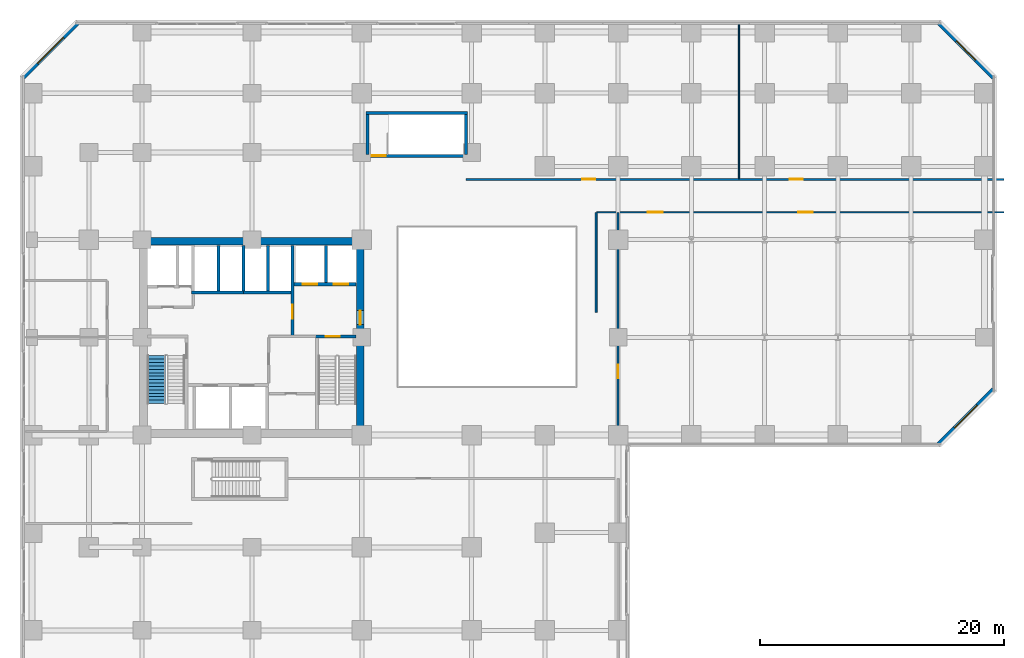
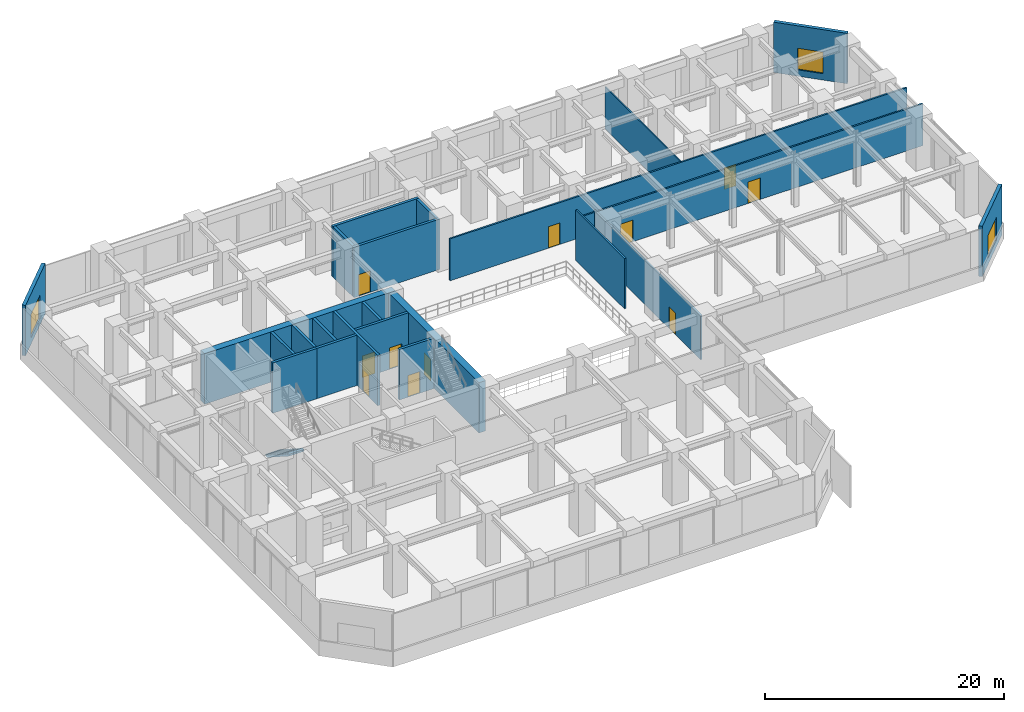
# One storey, part 25 of 33: 23 walls, 11 doors, 3 windows, 1 stair flight, 14 openings, 1 element without a shape of its own.
"""IFC4 building model written with IfcOpenShell, lengths in metres."""

from ifc_helpers import new_model, si_unit, direction, frame, frame_2d, origin, place, context, subcontext, project, spatial, polyline, rectangle, outline, extrude, source, transform, mapped, material, layer, layer_set, type_object, element, fill, aggregate, save


model = new_model("IFC4")

# Units and contexts
model_context = context("Model", 3, precision=1e-05, world=origin(), true_north=direction((0.0, 1.0)))
body_context = subcontext(model_context, "Body", "Model", "MODEL_VIEW")
ifc_project = project(units=[si_unit("LENGTHUNIT", "METRE"), si_unit("AREAUNIT", "SQUARE_METRE"), si_unit("VOLUMEUNIT", "CUBIC_METRE"), si_unit("PLANEANGLEUNIT", "RADIAN"), si_unit("MASSUNIT", "GRAM", prefix="KILO")], contexts=[model_context])

# Site, building, storey
site_placement = place(None, origin())
site = spatial("IfcSite", under=ifc_project, at=site_placement, CompositionType="ELEMENT")
building_placement = place(site_placement, origin())
building = spatial("IfcBuilding", under=site, at=building_placement, Name="Torre Montelarca", CompositionType="ELEMENT")
storey_placement = place(building_placement, frame((0.0, 0.0, 12.0)))
storey = spatial("IfcBuildingStorey", under=building, at=storey_placement, Name="L03", CompositionType="ELEMENT", Elevation=12.0)

# Wall, opening, door
ifc_material_1 = material(Name="Concrete C40/50", Category="concrete")
ifc_layer_1 = layer(ifc_material_1, 0.25, Name="Concrete C40/50", Category="concrete")
ifc_layer_set_1 = layer_set([ifc_layer_1], Name="Concrete C40/50")
wall_type_1 = type_object("IfcWallType", Name="CW-SHAFT-250", PredefinedType="SHEAR", material=ifc_layer_set_1)
wall_1_placement = place(storey_placement, frame((23.18994140625, 32.074951171875, 0.0), z_axis=(0.0, 0.0, 1.0), x_axis=(1.0, 0.0, 0.0)))
wall_1 = element("IfcWall", 1, at=wall_1_placement, inside=storey, type_object=wall_type_1, Name="L03 Core Shear Wall SH-ST2-N", PredefinedType="SHEAR", context=body_context, shape_type="SweptSolid", body=[
    extrude(rectangle(XDim=3.35009765625, YDim=0.25, at=frame_2d((1.675048828125, 0.0))), origin(), (0.0, 0.0, 1.0), 5.139892578125),
])
opening_1_placement = place(wall_1_placement, frame((0.85009765625, 0.0, 0.0)))
opening_1 = element("IfcOpeningElement", 2, at=opening_1_placement, cuts=wall_1, Name="Opening FD-ST1", PredefinedType="OPENING", context=body_context, shape_type="SweptSolid", body=[
    extrude(rectangle(XDim=1.14990234375, YDim=2.199951171875, at=frame_2d((0.574951171875, 1.10009765625))), frame((0.0, 0.135009765625, 0.0), z_axis=(0.0, -1.0, 0.0), x_axis=(1.0, 0.0, 0.0)), (0.0, 0.0, 1.0), 0.27001953125),
])
ifc_material_2 = material(Name="Galvanized steel fire door", Category="steel")
door_type_1 = type_object("IfcDoorType", Name="DR-STAIR-115", OperationType="NOTDEFINED", PredefinedType="DOOR", material=ifc_material_2)
shared_shape_1 = source(origin(), body_context, "Body", "SweptSolid", [
    extrude(rectangle(XDim=1.14990234375, YDim=2.199951171875, at=frame_2d((0.574951171875, 1.10009765625))), frame((0.0, 0.02490234375, 0.0), z_axis=(0.0, -1.0, 0.0), x_axis=(1.0, 0.0, 0.0)), (0.0, 0.0, 1.0), 0.050048828125),
])
door_1_placement = place(opening_1_placement, origin())
door_1 = element("IfcDoor", 3, at=door_1_placement, inside=storey, type_object=door_type_1, Name="L03 Exit Stair ST2 Fire Door", OperationType="SINGLE_SWING_RIGHT", OverallHeight=2.199951171875, OverallWidth=1.14990234375, PredefinedType="DOOR", context=body_context, shape_type="MappedRepresentation", body=[
    mapped(shared_shape_1, transform((0.0, 0.0, 0.0), scale=1.0)),
])
fill(opening_1, door_1)

wall_2_placement = place(storey_placement, frame((21.320068359375, 32.1201171875, 0.0), z_axis=(0.0, 0.0, 1.0), x_axis=(0.0, 1.0, 0.0)))
wall_2 = element("IfcWall", 4, at=wall_2_placement, inside=storey, type_object=wall_type_1, Name="L03 Core Shear Wall SH-FFL-W", PredefinedType="SHEAR", context=body_context, shape_type="SweptSolid", body=[
    extrude(rectangle(XDim=7.419921875, YDim=0.25, at=frame_2d((3.7099609375, 0.0))), origin(), (0.0, 0.0, 1.0), 5.139892578125),
])
opening_2_placement = place(wall_2_placement, frame((1.39990234375, 0.0, 0.0)))
opening_2 = element("IfcOpeningElement", 5, at=opening_2_placement, cuts=wall_2, Name="Opening FD-LB1", PredefinedType="OPENING", context=body_context, shape_type="SweptSolid", body=[
    extrude(rectangle(XDim=1.14990234375, YDim=2.199951171875, at=frame_2d((0.574951171875, 1.10009765625))), frame((0.0, 0.135009765625, 0.0), z_axis=(0.0, -1.0, 0.0), x_axis=(1.0, 0.0, 0.0)), (0.0, 0.0, 1.0), 0.27001953125),
])
ifc_material_3 = material(Name="Acoustic timber-veneered fire door", Category="wood")
door_type_2 = type_object("IfcDoorType", Name="DR-LOBBY-115", OperationType="NOTDEFINED", PredefinedType="DOOR", material=ifc_material_3)
shared_shape_2 = source(origin(), body_context, "Body", "SweptSolid", [
    extrude(rectangle(XDim=1.14990234375, YDim=2.199951171875, at=frame_2d((0.574951171875, 1.10009765625))), frame((0.0, 0.02490234375, 0.0), z_axis=(0.0, -1.0, 0.0), x_axis=(1.0, 0.0, 0.0)), (0.0, 0.0, 1.0), 0.050048828125),
])
door_2_placement = place(opening_2_placement, origin())
door_2 = element("IfcDoor", 6, at=door_2_placement, inside=storey, type_object=door_type_2, Name="L03 Lift Lobby to Firefighting Lobby Smoke Door", OperationType="SINGLE_SWING_LEFT", OverallHeight=2.199951171875, OverallWidth=1.14990234375, PredefinedType="DOOR", context=body_context, shape_type="MappedRepresentation", body=[
    mapped(shared_shape_2, transform((0.0, 0.0, 0.0), scale=1.0)),
])
fill(opening_2, door_2)

# Wall, openings, doors
wall_3_placement = place(storey_placement, frame((21.449951171875, 36.35009765625, 0.0), z_axis=(0.0, 0.0, 1.0), x_axis=(1.0, 0.0, 0.0)))
wall_3 = element("IfcWall", 7, at=wall_3_placement, inside=storey, type_object=wall_type_1, Name="L03 Core Shear Wall SH-FF-S", PredefinedType="SHEAR", context=body_context, shape_type="SweptSolid", body=[
    extrude(rectangle(XDim=5.090087890625, YDim=0.25, at=frame_2d((2.544921875, 0.0))), origin(), (0.0, 0.0, 1.0), 5.139892578125),
])
opening_3_placement = place(wall_3_placement, frame((0.699951171875, 0.0, 0.0)))
opening_3 = element("IfcOpeningElement", 8, at=opening_3_placement, cuts=wall_3, Name="Opening LD-120", PredefinedType="OPENING", context=body_context, shape_type="SweptSolid", body=[
    extrude(rectangle(XDim=1.199951171875, YDim=2.199951171875, at=frame_2d((0.60009765625, 1.10009765625))), frame((0.0, 0.135009765625, 0.0), z_axis=(0.0, -1.0, 0.0), x_axis=(1.0, 0.0, 0.0)), (0.0, 0.0, 1.0), 0.27001953125),
])
opening_4_placement = place(wall_3_placement, frame((3.25, 0.0, 0.0)))
opening_4 = element("IfcOpeningElement", 9, at=opening_4_placement, cuts=wall_3, Name="Opening LD-120", PredefinedType="OPENING", context=body_context, shape_type="SweptSolid", body=[
    extrude(rectangle(XDim=1.199951171875, YDim=2.199951171875, at=frame_2d((0.60009765625, 1.10009765625))), frame((0.0, 0.135009765625, 0.0), z_axis=(0.0, -1.0, 0.0), x_axis=(1.0, 0.0, 0.0)), (0.0, 0.0, 1.0), 0.27001953125),
])
ifc_material_4 = material(Name="Brushed stainless steel AISI 316", Category="steel")
door_type_3 = type_object("IfcDoorType", Name="DR-LIFT-120", OperationType="SLIDING_TO_RIGHT", PredefinedType="DOOR", material=ifc_material_4)
shared_shape_3 = source(origin(), body_context, "Body", "SweptSolid", [
    extrude(rectangle(XDim=1.199951171875, YDim=2.199951171875, at=frame_2d((0.60009765625, 1.10009765625))), frame((0.0, 0.02490234375, 0.0), z_axis=(0.0, -1.0, 0.0), x_axis=(1.0, 0.0, 0.0)), (0.0, 0.0, 1.0), 0.050048828125),
])
door_3_placement = place(opening_3_placement, origin())
door_3 = element("IfcDoor", 10, at=door_3_placement, inside=storey, type_object=door_type_3, Name="L03 Lift Landing Sliding Door FF-1", OperationType="SLIDING_TO_LEFT", OverallHeight=2.199951171875, OverallWidth=1.199951171875, PredefinedType="DOOR", context=body_context, shape_type="MappedRepresentation", body=[
    mapped(shared_shape_3, transform((0.0, 0.0, 0.0), scale=1.0)),
])
fill(opening_3, door_3)
door_4_placement = place(opening_4_placement, origin())
door_4 = element("IfcDoor", 11, at=door_4_placement, inside=storey, type_object=door_type_3, Name="L03 Lift Landing Sliding Door FF-2", OperationType="SLIDING_TO_RIGHT", OverallHeight=2.199951171875, OverallWidth=1.199951171875, PredefinedType="DOOR", context=body_context, shape_type="MappedRepresentation", body=[
    mapped(shared_shape_3, transform((0.0, 0.0, 0.0), scale=1.0)),
])
fill(opening_4, door_4)

# Walls
wall_4_placement = place(storey_placement, frame((24.080078125, 36.47998046875, 0.0), z_axis=(0.0, 0.0, 1.0), x_axis=(0.0, 1.0, 0.0)))
element("IfcWall", 12, at=wall_4_placement, inside=storey, type_object=wall_type_1, Name="L03 Core Shear Wall SH-FF-M", PredefinedType="SHEAR", context=body_context, shape_type="SweptSolid", body=[
    extrude(rectangle(XDim=3.06005859375, YDim=0.25, at=frame_2d((1.530029296875, 0.0))), origin(), (0.0, 0.0, 1.0), 5.139892578125),
])
wall_5_placement = place(storey_placement, frame((13.06005859375, 35.679931640625, 0.0), z_axis=(0.0, 0.0, 1.0), x_axis=(1.0, 0.0, 0.0)))
element("IfcWall", 13, at=wall_5_placement, inside=storey, type_object=wall_type_1, Name="L03 Core Shear Wall SH-PLM-S", PredefinedType="SHEAR", context=body_context, shape_type="SweptSolid", body=[
    extrude(rectangle(XDim=4.25, YDim=0.25, at=frame_2d((2.125, 0.0))), origin(), (0.0, 0.0, 1.0), 5.139892578125),
])
wall_6_placement = place(storey_placement, frame((15.280029296875, 35.81005859375, 0.0), z_axis=(0.0, 0.0, 1.0), x_axis=(0.0, 1.0, 0.0)))
element("IfcWall", 14, at=wall_6_placement, inside=storey, type_object=wall_type_1, Name="L03 Core Shear Wall SH-PLM-M", PredefinedType="SHEAR", context=body_context, shape_type="SweptSolid", body=[
    extrude(rectangle(XDim=3.72998046875, YDim=0.25, at=frame_2d((1.864990234375, 0.0))), origin(), (0.0, 0.0, 1.0), 5.139892578125),
])
wall_7_placement = place(storey_placement, frame((17.320068359375, 35.679931640625, 0.0), z_axis=(0.0, 0.0, 1.0), x_axis=(1.0, 0.0, 0.0)))
element("IfcWall", 15, at=wall_7_placement, inside=storey, type_object=wall_type_1, Name="L03 Core Shear Wall SH-PLH-S", PredefinedType="SHEAR", context=body_context, shape_type="SweptSolid", body=[
    extrude(rectangle(XDim=3.869873046875, YDim=0.25, at=frame_2d((1.93505859375, 0.0))), origin(), (0.0, 0.0, 1.0), 5.139892578125),
])
for number, where, z_axis, x_axis, name in (
    (16, (17.320068359375, 35.81005859375, 0.0), (0.0, 0.0, 1.0), (0.0, 1.0, 0.0), "L03 Core Shear Wall SH-PLH-W"),
    (17, (19.320068359375, 35.81005859375, 0.0), (0.0, 0.0, 1.0), (0.0, 1.0, 0.0), "L03 Core Shear Wall SH-PLH-M"),
):
    element("IfcWall", number, at=place(storey_placement, frame(where, z_axis=z_axis, x_axis=x_axis)), inside=storey, type_object=wall_type_1, Name=name, PredefinedType="SHEAR", context=body_context, shape_type="SweptSolid", body=[
        extrude(rectangle(XDim=3.72998046875, YDim=0.25, at=frame_2d((1.864990234375, 0.0))), origin(), (0.0, 0.0, 1.0), 5.139892578125),
    ])
for number, where, z_axis, x_axis, name in (
    (18, (27.47509765625, 47.0, 0.0), (0.0, 0.0, 1.0), (0.0, 1.0, 0.0), "L03 Core Shear Wall SH-ST4-W"),
    (19, (35.52490234375, 47.0, 0.0), (0.0, 0.0, 1.0), (0.0, 1.0, 0.0), "L03 Core Shear Wall SH-ST4-E"),
):
    element("IfcWall", number, at=place(storey_placement, frame(where, z_axis=z_axis, x_axis=x_axis)), inside=storey, type_object=wall_type_1, Name=name, PredefinedType="SHEAR", context=body_context, shape_type="SweptSolid", body=[
        extrude(rectangle(XDim=3.25, YDim=0.25, at=frame_2d((1.625, 0.0))), origin(), (0.0, 0.0, 1.0), 5.139892578125),
    ])

# Wall, opening, door
wall_8_placement = place(storey_placement, frame((27.35009765625, 46.875, 0.0), z_axis=(0.0, 0.0, 1.0), x_axis=(1.0, 0.0, 0.0)))
wall_8 = element("IfcWall", 20, at=wall_8_placement, inside=storey, type_object=wall_type_1, Name="L03 Core Shear Wall SH-ST4-S", PredefinedType="SHEAR", context=body_context, shape_type="SweptSolid", body=[
    extrude(rectangle(XDim=8.2998046875, YDim=0.25, at=frame_2d((4.14990234375, 0.0))), origin(), (0.0, 0.0, 1.0), 5.139892578125),
])
opening_5_placement = place(wall_8_placement, frame((0.449951171875, 0.0, 0.0)))
opening_5 = element("IfcOpeningElement", 21, at=opening_5_placement, cuts=wall_8, Name="Opening FD-LB1", PredefinedType="OPENING", context=body_context, shape_type="SweptSolid", body=[
    extrude(rectangle(XDim=1.14990234375, YDim=2.199951171875, at=frame_2d((0.574951171875, 1.10009765625))), frame((0.0, 0.135009765625, 0.0), z_axis=(0.0, -1.0, 0.0), x_axis=(1.0, 0.0, 0.0)), (0.0, 0.0, 1.0), 0.27001953125),
])
door_5_placement = place(opening_5_placement, origin())
door_5 = element("IfcDoor", 22, at=door_5_placement, inside=storey, type_object=door_type_2, Name="L03 Podium Feature Stair ST4 Door", OperationType="SINGLE_SWING_RIGHT", OverallHeight=2.199951171875, OverallWidth=1.14990234375, PredefinedType="DOOR", context=body_context, shape_type="MappedRepresentation", body=[
    mapped(shared_shape_2, transform((0.0, 0.0, 0.0), scale=1.0)),
])
fill(opening_5, door_5)

# Wall
wall_9_placement = place(storey_placement, frame((27.35009765625, 50.375, 0.0), z_axis=(0.0, 0.0, 1.0), x_axis=(1.0, 0.0, 0.0)))
element("IfcWall", 23, at=wall_9_placement, inside=storey, type_object=wall_type_1, Name="L03 Core Shear Wall SH-ST4-N", PredefinedType="SHEAR", context=body_context, shape_type="SweptSolid", body=[
    extrude(rectangle(XDim=8.2998046875, YDim=0.25, at=frame_2d((4.14990234375, 0.0))), origin(), (0.0, 0.0, 1.0), 5.139892578125),
])

# Wall, opening, door
ifc_material_5 = material(Name="Concrete C70/85", Category="concrete")
ifc_layer_2 = layer(ifc_material_5, 0.64990234375, Name="Concrete C70/85", Category="concrete")
ifc_layer_set_2 = layer_set([ifc_layer_2], Name="Concrete C70/85")
wall_type_2 = type_object("IfcWallType", Name="CW-SHEAR-650", PredefinedType="SHEAR", material=ifc_layer_set_2)
wall_10_placement = place(storey_placement, frame((26.875, 24.449951171875, 0.0), z_axis=(0.0, 0.0, 1.0), x_axis=(0.0, 1.0, 0.0)))
wall_10 = element("IfcWall", 24, at=wall_10_placement, inside=storey, type_object=wall_type_2, Name="L03 Core Shear Wall CW-E", PredefinedType="SHEAR", context=body_context, shape_type="SweptSolid", body=[
    extrude(rectangle(XDim=15.10009765625, YDim=0.64990234375, at=frame_2d((7.550048828125, 0.0))), origin(), (0.0, 0.0, 1.0), 5.139892578125),
])
opening_6_placement = place(wall_10_placement, frame((8.60009765625, 0.0, 0.0)))
opening_6 = element("IfcOpeningElement", 25, at=opening_6_placement, cuts=wall_10, Name="Opening FD-LB1", PredefinedType="OPENING", context=body_context, shape_type="SweptSolid", body=[
    extrude(rectangle(XDim=1.14990234375, YDim=2.199951171875, at=frame_2d((0.574951171875, 1.10009765625))), frame((0.0, 0.3349609375, 0.0), z_axis=(0.0, -1.0, 0.0), x_axis=(1.0, 0.0, 0.0)), (0.0, 0.0, 1.0), 0.669921875),
])
door_6_placement = place(opening_6_placement, origin())
door_6 = element("IfcDoor", 26, at=door_6_placement, inside=storey, type_object=door_type_2, Name="L03 Firefighting Lift Lobby Corridor Fire Door", OperationType="SINGLE_SWING_RIGHT", OverallHeight=2.199951171875, OverallWidth=1.14990234375, PredefinedType="DOOR", context=body_context, shape_type="MappedRepresentation", body=[
    mapped(shared_shape_2, transform((0.0, 0.0, 0.0), scale=1.0)),
])
fill(opening_6, door_6)

# Wall
wall_11_placement = place(storey_placement, frame((8.800048828125, 39.875, 0.0), z_axis=(0.0, 0.0, 1.0), x_axis=(1.0, 0.0, 0.0)))
element("IfcWall", 27, at=wall_11_placement, inside=storey, type_object=wall_type_2, Name="L03 Core Shear Wall CW-N1", PredefinedType="SHEAR", context=body_context, shape_type="SweptSolid", body=[
    extrude(rectangle(XDim=18.39990234375, YDim=0.64990234375, at=frame_2d((9.199951171875, 0.0))), origin(), (0.0, 0.0, 1.0), 5.139892578125),
])

# Wall, opening, window
ifc_material_6 = material(Name="Precast concrete C45/55", Category="concrete")
ifc_layer_3 = layer(ifc_material_6, 0.320068359375, Name="Precast concrete C45/55", Category="concrete")
ifc_layer_set_3 = layer_set([ifc_layer_3], Name="Precast concrete C45/55")
wall_type_3 = type_object("IfcWallType", Name="EW-CONC-320", PredefinedType="SOLIDWALL", material=ifc_layer_set_3)
wall_12_placement = place(storey_placement, frame((74.244384765625, 23.255615234375, 0.0), z_axis=(0.0, 0.0, 1.0), x_axis=(0.707106781187, 0.707106781187, 0.0)))
wall_12 = element("IfcWall", 28, at=wall_12_placement, inside=storey, type_object=wall_type_3, Name="L03 Podium Precast Concrete Wall E05", PredefinedType="SOLIDWALL", context=body_context, shape_type="SweptSolid", body=[
    extrude(rectangle(XDim=6.364013671875, YDim=0.320068359375, at=frame_2d((3.18212890625, 0.0))), origin(), (0.0, 0.0, 1.0), 5.139892578125),
])
opening_7_placement = place(wall_12_placement, frame((1.882080078125, 0.0, 0.64990234375)))
opening_7 = element("IfcOpeningElement", 29, at=opening_7_placement, cuts=wall_12, Name="Opening W-01", PredefinedType="OPENING", context=body_context, shape_type="SweptSolid", body=[
    extrude(rectangle(XDim=2.60009765625, YDim=2.35009765625, at=frame_2d((1.300048828125, 1.175048828125))), frame((0.0, 0.169921875, 0.0), z_axis=(0.0, -1.0, 0.0), x_axis=(1.0, 0.0, 0.0)), (0.0, 0.0, 1.0), 0.340087890625),
])
ifc_material_7 = material(Name="Insulated low-E laminated glass in aluminium frame", Category="aluminium")
window_type_1 = type_object("IfcWindowType", Name="WIN-W01", PartitioningType="DOUBLE_PANEL_VERTICAL", PredefinedType="WINDOW", material=ifc_material_7)
shared_shape_4 = source(origin(), body_context, "Body", "SweptSolid", [
    extrude(rectangle(XDim=2.60009765625, YDim=2.35009765625, at=frame_2d((1.300048828125, 1.175048828125))), frame((0.0, 0.030029296875, 0.0), z_axis=(0.0, -1.0, 0.0), x_axis=(1.0, 0.0, 0.0)), (0.0, 0.0, 1.0), 0.06005859375),
])
window_1_placement = place(opening_7_placement, origin())
window_1 = element("IfcWindow", 30, at=window_1_placement, inside=storey, type_object=window_type_1, Name="L03 Podium Chamfer Feature Window E05", OverallHeight=2.35009765625, OverallWidth=2.60009765625, PartitioningType="DOUBLE_PANEL_VERTICAL", PredefinedType="WINDOW", context=body_context, shape_type="MappedRepresentation", body=[
    mapped(shared_shape_4, transform((0.0, 0.0, 0.0), scale=1.0)),
])
fill(opening_7, window_1)

wall_13_placement = place(storey_placement, frame((78.744384765625, 53.244384765625, 0.0), z_axis=(0.0, 0.0, 1.0), x_axis=(-0.707106781187, 0.707106781187, 0.0)))
wall_13 = element("IfcWall", 31, at=wall_13_placement, inside=storey, type_object=wall_type_3, Name="L03 Podium Precast Concrete Wall E07", PredefinedType="SOLIDWALL", context=body_context, shape_type="SweptSolid", body=[
    extrude(rectangle(XDim=6.364013671875, YDim=0.320068359375, at=frame_2d((3.18212890625, 0.0))), origin(), (0.0, 0.0, 1.0), 5.139892578125),
])
opening_8_placement = place(wall_13_placement, frame((2.08203125, 0.0, 0.64990234375)))
opening_8 = element("IfcOpeningElement", 32, at=opening_8_placement, cuts=wall_13, Name="Opening W-03", PredefinedType="OPENING", context=body_context, shape_type="SweptSolid", body=[
    extrude(rectangle(XDim=2.199951171875, YDim=2.199951171875, at=frame_2d((1.10009765625, 1.10009765625))), frame((0.0, 0.169921875, 0.0), z_axis=(0.0, -1.0, 0.0), x_axis=(1.0, 0.0, 0.0)), (0.0, 0.0, 1.0), 0.340087890625),
])
window_type_2 = type_object("IfcWindowType", Name="WIN-W03", PartitioningType="SINGLE_PANEL", PredefinedType="WINDOW", material=ifc_material_7)
shared_shape_5 = source(origin(), body_context, "Body", "SweptSolid", [
    extrude(rectangle(XDim=2.199951171875, YDim=2.199951171875, at=frame_2d((1.10009765625, 1.10009765625))), frame((0.0, 0.030029296875, 0.0), z_axis=(0.0, -1.0, 0.0), x_axis=(1.0, 0.0, 0.0)), (0.0, 0.0, 1.0), 0.06005859375),
])
window_2_placement = place(opening_8_placement, origin())
window_2 = element("IfcWindow", 33, at=window_2_placement, inside=storey, type_object=window_type_2, Name="L03 Podium Chamfer Feature Window E07", OverallHeight=2.199951171875, OverallWidth=2.199951171875, PartitioningType="SINGLE_PANEL", PredefinedType="WINDOW", context=body_context, shape_type="MappedRepresentation", body=[
    mapped(shared_shape_5, transform((0.0, 0.0, 0.0), scale=1.0)),
])
fill(opening_8, window_2)

wall_14_placement = place(storey_placement, frame((3.755615234375, 57.744384765625, 0.0), z_axis=(0.0, 0.0, 1.0), x_axis=(-0.707106781187, -0.707106781187, 0.0)))
wall_14 = element("IfcWall", 34, at=wall_14_placement, inside=storey, type_object=wall_type_3, Name="L03 Podium Precast Concrete Wall E09", PredefinedType="SOLIDWALL", context=body_context, shape_type="SweptSolid", body=[
    extrude(rectangle(XDim=6.364013671875, YDim=0.320068359375, at=frame_2d((3.18212890625, 0.0))), origin(), (0.0, 0.0, 1.0), 5.139892578125),
])
opening_9_placement = place(wall_14_placement, frame((1.681884765625, 0.0, 0.64990234375)))
opening_9 = element("IfcOpeningElement", 35, at=opening_9_placement, cuts=wall_14, Name="Opening W-05", PredefinedType="OPENING", context=body_context, shape_type="SweptSolid", body=[
    extrude(rectangle(XDim=3.0, YDim=2.39990234375, at=frame_2d((1.5, 1.199951171875))), frame((0.0, 0.169921875, 0.0), z_axis=(0.0, -1.0, 0.0), x_axis=(1.0, 0.0, 0.0)), (0.0, 0.0, 1.0), 0.340087890625),
])
window_type_3 = type_object("IfcWindowType", Name="WIN-W05", PartitioningType="TRIPLE_PANEL_VERTICAL", PredefinedType="WINDOW", material=ifc_material_7)
shared_shape_6 = source(origin(), body_context, "Body", "SweptSolid", [
    extrude(rectangle(XDim=3.0, YDim=2.39990234375, at=frame_2d((1.5, 1.199951171875))), frame((0.0, 0.030029296875, 0.0), z_axis=(0.0, -1.0, 0.0), x_axis=(1.0, 0.0, 0.0)), (0.0, 0.0, 1.0), 0.06005859375),
])
window_3_placement = place(opening_9_placement, origin())
window_3 = element("IfcWindow", 36, at=window_3_placement, inside=storey, type_object=window_type_3, Name="L03 Podium Chamfer Feature Window E09", OverallHeight=2.39990234375, OverallWidth=3.0, PartitioningType="TRIPLE_PANEL_VERTICAL", PredefinedType="WINDOW", context=body_context, shape_type="MappedRepresentation", body=[
    mapped(shared_shape_6, transform((0.0, 0.0, 0.0), scale=1.0)),
])
fill(opening_9, window_3)

# Wall, openings, doors
ifc_material_8 = material(Name="Gypsum plasterboard on steel stud", Category="steel")
ifc_layer_4 = layer(ifc_material_8, 0.159912109375, Name="Gypsum plasterboard on steel stud", Category="steel")
ifc_layer_set_4 = layer_set([ifc_layer_4], Name="Gypsum plasterboard on steel stud")
wall_type_4 = type_object("IfcWallType", Name="PW-FIRE-160", PredefinedType="PARTITIONING", material=ifc_layer_set_4)
wall_15_placement = place(storey_placement, frame((46.239990234375, 42.25, 0.0), z_axis=(0.0, 0.0, 1.0), x_axis=(1.0, 0.0, 0.0)))
wall_15 = element("IfcWall", 37, at=wall_15_placement, inside=storey, type_object=wall_type_4, Name="L03 Interior Partition W-L03-CN1", PredefinedType="PARTITIONING", context=body_context, shape_type="SweptSolid", body=[
    extrude(rectangle(XDim=33.3701171875, YDim=0.159912109375, at=frame_2d((16.68505859375, 0.0))), origin(), (0.0, 0.0, 1.0), 4.27490234375),
])
opening_10_placement = place(wall_15_placement, frame((4.199951171875, 0.0, 0.0)))
opening_10 = element("IfcOpeningElement", 38, at=opening_10_placement, cuts=wall_15, Name="Opening FD-120", PredefinedType="OPENING", context=body_context, shape_type="SweptSolid", body=[
    extrude(rectangle(XDim=1.199951171875, YDim=2.199951171875, at=frame_2d((0.60009765625, 1.10009765625))), frame((0.0, 0.08984375, 0.0), z_axis=(0.0, -1.0, 0.0), x_axis=(1.0, 0.0, 0.0)), (0.0, 0.0, 1.0), 0.179931640625),
])
opening_11_placement = place(wall_15_placement, frame((16.5, 0.0, 0.0)))
opening_11 = element("IfcOpeningElement", 39, at=opening_11_placement, cuts=wall_15, Name="Opening FD-120", PredefinedType="OPENING", context=body_context, shape_type="SweptSolid", body=[
    extrude(rectangle(XDim=1.199951171875, YDim=2.199951171875, at=frame_2d((0.60009765625, 1.10009765625))), frame((0.0, 0.08984375, 0.0), z_axis=(0.0, -1.0, 0.0), x_axis=(1.0, 0.0, 0.0)), (0.0, 0.0, 1.0), 0.179931640625),
])
door_type_4 = type_object("IfcDoorType", Name="DR-FIRE-120", OperationType="NOTDEFINED", PredefinedType="DOOR", material=ifc_material_2)
shared_shape_7 = source(origin(), body_context, "Body", "SweptSolid", [
    extrude(rectangle(XDim=1.199951171875, YDim=2.199951171875, at=frame_2d((0.60009765625, 1.10009765625))), frame((0.0, 0.02490234375, 0.0), z_axis=(0.0, -1.0, 0.0), x_axis=(1.0, 0.0, 0.0)), (0.0, 0.0, 1.0), 0.050048828125),
])
door_7_placement = place(opening_10_placement, origin())
door_7 = element("IfcDoor", 40, at=door_7_placement, inside=storey, type_object=door_type_4, Name="L03 Interior Door 08", OperationType="SINGLE_SWING_LEFT", OverallHeight=2.199951171875, OverallWidth=1.199951171875, PredefinedType="DOOR", context=body_context, shape_type="MappedRepresentation", body=[
    mapped(shared_shape_7, transform((0.0, 0.0, 0.0), scale=1.0)),
])
fill(opening_10, door_7)
door_8_placement = place(opening_11_placement, origin())
door_8 = element("IfcDoor", 41, at=door_8_placement, inside=storey, type_object=door_type_4, Name="L03 Interior Door 09", OperationType="SINGLE_SWING_RIGHT", OverallHeight=2.199951171875, OverallWidth=1.199951171875, PredefinedType="DOOR", context=body_context, shape_type="MappedRepresentation", body=[
    mapped(shared_shape_7, transform((0.0, 0.0, 0.0), scale=1.0)),
])
fill(opening_11, door_8)

wall_16_placement = place(storey_placement, frame((35.5400390625, 44.949951171875, 0.0), z_axis=(0.0, 0.0, 1.0), x_axis=(1.0, 0.0, 0.0)))
wall_16 = element("IfcWall", 42, at=wall_16_placement, inside=storey, type_object=wall_type_4, Name="L03 Interior Partition W-L03-CN2", PredefinedType="PARTITIONING", context=body_context, shape_type="SweptSolid", body=[
    extrude(rectangle(XDim=44.070068359375, YDim=0.159912109375, at=frame_2d((22.03515625, 0.0))), origin(), (0.0, 0.0, 1.0), 4.27490234375),
])
opening_12_placement = place(wall_16_placement, frame((9.5, 0.0, 0.0)))
opening_12 = element("IfcOpeningElement", 43, at=opening_12_placement, cuts=wall_16, Name="Opening FD-110", PredefinedType="OPENING", context=body_context, shape_type="SweptSolid", body=[
    extrude(rectangle(XDim=1.10009765625, YDim=2.199951171875, at=frame_2d((0.550048828125, 1.10009765625))), frame((0.0, 0.08984375, 0.0), z_axis=(0.0, -1.0, 0.0), x_axis=(1.0, 0.0, 0.0)), (0.0, 0.0, 1.0), 0.179931640625),
])
opening_13_placement = place(wall_16_placement, frame((26.5, 0.0, 0.0)))
opening_13 = element("IfcOpeningElement", 44, at=opening_13_placement, cuts=wall_16, Name="Opening FD-110", PredefinedType="OPENING", context=body_context, shape_type="SweptSolid", body=[
    extrude(rectangle(XDim=1.10009765625, YDim=2.199951171875, at=frame_2d((0.550048828125, 1.10009765625))), frame((0.0, 0.08984375, 0.0), z_axis=(0.0, -1.0, 0.0), x_axis=(1.0, 0.0, 0.0)), (0.0, 0.0, 1.0), 0.179931640625),
])
ifc_material_9 = material(Name="Timber fire-rated suite door", Category="wood")
door_type_5 = type_object("IfcDoorType", Name="DR-FIRE-110", OperationType="NOTDEFINED", PredefinedType="DOOR", material=ifc_material_9)
shared_shape_8 = source(origin(), body_context, "Body", "SweptSolid", [
    extrude(rectangle(XDim=1.10009765625, YDim=2.199951171875, at=frame_2d((0.550048828125, 1.10009765625))), frame((0.0, 0.02490234375, 0.0), z_axis=(0.0, -1.0, 0.0), x_axis=(1.0, 0.0, 0.0)), (0.0, 0.0, 1.0), 0.050048828125),
])
door_9_placement = place(opening_12_placement, origin())
door_9 = element("IfcDoor", 45, at=door_9_placement, inside=storey, type_object=door_type_5, Name="L03 Interior Door 10", OperationType="SINGLE_SWING_RIGHT", OverallHeight=2.199951171875, OverallWidth=1.10009765625, PredefinedType="DOOR", context=body_context, shape_type="MappedRepresentation", body=[
    mapped(shared_shape_8, transform((0.0, 0.0, 0.0), scale=1.0)),
])
fill(opening_12, door_9)
door_10_placement = place(opening_13_placement, origin())
door_10 = element("IfcDoor", 46, at=door_10_placement, inside=storey, type_object=door_type_5, Name="L03 Interior Door 11", OperationType="SINGLE_SWING_LEFT", OverallHeight=2.199951171875, OverallWidth=1.10009765625, PredefinedType="DOOR", context=body_context, shape_type="MappedRepresentation", body=[
    mapped(shared_shape_8, transform((0.0, 0.0, 0.0), scale=1.0)),
])
fill(opening_13, door_10)

# Wall
wall_17_placement = place(storey_placement, frame((46.199951171875, 34.0400390625, 0.0), z_axis=(0.0, 0.0, 1.0), x_axis=(0.0, 1.0, 0.0)))
element("IfcWall", 47, at=wall_17_placement, inside=storey, type_object=wall_type_4, Name="L03 Interior Partition W-L03-CN1W", PredefinedType="PARTITIONING", context=body_context, shape_type="SweptSolid", body=[
    extrude(rectangle(XDim=8.169921875, YDim=0.159912109375, at=frame_2d((4.0849609375, 0.0))), origin(), (0.0, 0.0, 1.0), 5.139892578125),
])

# Wall, opening, door
wall_18_placement = place(storey_placement, frame((48.0, 24.43994140625, 0.0), z_axis=(0.0, 0.0, 1.0), x_axis=(0.0, 1.0, 0.0)))
wall_18 = element("IfcWall", 48, at=wall_18_placement, inside=storey, type_object=wall_type_4, Name="L03 Interior Partition W-L03-HDIV", PredefinedType="PARTITIONING", context=body_context, shape_type="SweptSolid", body=[
    extrude(rectangle(XDim=17.77001953125, YDim=0.159912109375, at=frame_2d((8.885009765625, 0.0))), origin(), (0.0, 0.0, 1.0), 4.5029296875),
])
opening_14_placement = place(wall_18_placement, frame((4.199951171875, 0.0, 0.0)))
opening_14 = element("IfcOpeningElement", 49, at=opening_14_placement, cuts=wall_18, Name="Opening FD-110", PredefinedType="OPENING", context=body_context, shape_type="SweptSolid", body=[
    extrude(rectangle(XDim=1.10009765625, YDim=2.199951171875, at=frame_2d((0.550048828125, 1.10009765625))), frame((0.0, 0.08984375, 0.0), z_axis=(0.0, -1.0, 0.0), x_axis=(1.0, 0.0, 0.0)), (0.0, 0.0, 1.0), 0.179931640625),
])
door_11_placement = place(opening_14_placement, origin())
door_11 = element("IfcDoor", 50, at=door_11_placement, inside=storey, type_object=door_type_5, Name="L03 Interior Door 12", OperationType="SINGLE_SWING_LEFT", OverallHeight=2.199951171875, OverallWidth=1.10009765625, PredefinedType="DOOR", context=body_context, shape_type="MappedRepresentation", body=[
    mapped(shared_shape_8, transform((0.0, 0.0, 0.0), scale=1.0)),
])
fill(opening_14, door_11)

# Wall
ifc_layer_5 = layer(ifc_material_8, 0.114990234375, Name="Gypsum plasterboard on steel stud", Category="steel")
ifc_layer_set_5 = layer_set([ifc_layer_5], Name="Gypsum plasterboard on steel stud")
wall_type_5 = type_object("IfcWallType", Name="PW-PART-115", PredefinedType="PARTITIONING", material=ifc_layer_set_5)
wall_19_placement = place(storey_placement, frame((57.89990234375, 44.989990234375, 0.0), z_axis=(0.0, 0.0, 1.0), x_axis=(0.0, 1.0, 0.0)))
element("IfcWall", 51, at=wall_19_placement, inside=storey, type_object=wall_type_5, Name="L03 Interior Partition W-L03-NM", PredefinedType="PARTITIONING", context=body_context, shape_type="SweptSolid", body=[
    extrude(rectangle(XDim=12.6201171875, YDim=0.114990234375, at=frame_2d((6.31005859375, 0.0))), origin(), (0.0, 0.0, 1.0), 4.27490234375),
])

# Stair, stair flight
stair_type = type_object("IfcStairType", Name="ST-CORE-ST1", PredefinedType="HALF_TURN_STAIR", material=ifc_material_1)
stair_placement = place(storey_placement, origin())
stair = element("IfcStair", 52, at=stair_placement, inside=storey, type_object=stair_type, Name="L03 Protected Exit Stair ST1", PredefinedType="HALF_TURN_STAIR")
stair_flight_type = type_object("IfcStairFlightType", Name="SFL-CORE-ST1", PredefinedType="STRAIGHT", material=ifc_material_1)
stair_flight_placement = place(storey_placement, frame((10.175048828125, 30.5, 0.0), z_axis=(0.0, 0.0, 1.0), x_axis=(0.0, -1.0, 0.0)))
stair_flight = element("IfcStairFlight", 53, at=stair_flight_placement, type_object=stair_flight_type, Name="ST1 flight 1", NumberOfRisers=15, NumberOfTreads=14, PredefinedType="STRAIGHT", RiserHeight=0.18, TreadLength=0.28, context=body_context, shape_type="SweptSolid", body=[
    extrude(outline(polyline([(0.0, 0.0), (0.0, 0.179931640625), (0.280029296875, 0.179931640625), (0.280029296875, 0.360107421875), (0.56005859375, 0.360107421875), (0.56005859375, 0.5400390625), (0.840087890625, 0.5400390625), (0.840087890625, 0.719970703125), (1.1201171875, 0.719970703125), (1.1201171875, 0.89990234375), (1.39990234375, 0.89990234375), (1.39990234375, 1.080078125), (1.679931640625, 1.080078125), (1.679931640625, 1.260009765625), (1.9599609375, 1.260009765625), (1.9599609375, 1.43994140625), (2.239990234375, 1.43994140625), (2.239990234375, 1.6201171875), (2.52001953125, 1.6201171875), (2.52001953125, 1.800048828125), (2.800048828125, 1.800048828125), (2.800048828125, 1.97998046875), (3.080078125, 1.97998046875), (3.080078125, 2.159912109375), (3.360107421875, 2.159912109375), (3.360107421875, 2.340087890625), (3.639892578125, 2.340087890625), (3.639892578125, 2.52001953125), (3.919921875, 2.52001953125), (3.919921875, 2.699951171875), (3.919921875, 2.341796875), (0.277099609375, 0.0), (0.0, 0.0)])), frame((0.0, 0.72509765625, 0.0), z_axis=(0.0, -1.0, 0.0), x_axis=(1.0, 0.0, 0.0)), (0.0, 0.0, 1.0), 1.449951171875),
])
aggregate(stair, [stair_flight])

save(model, "model.ifc")
